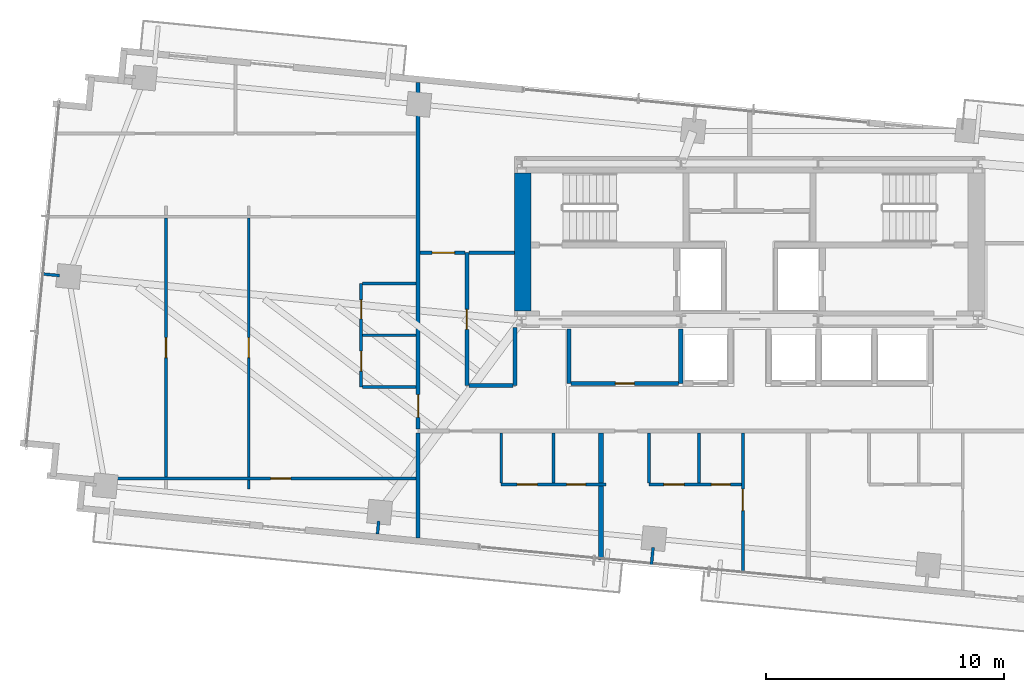
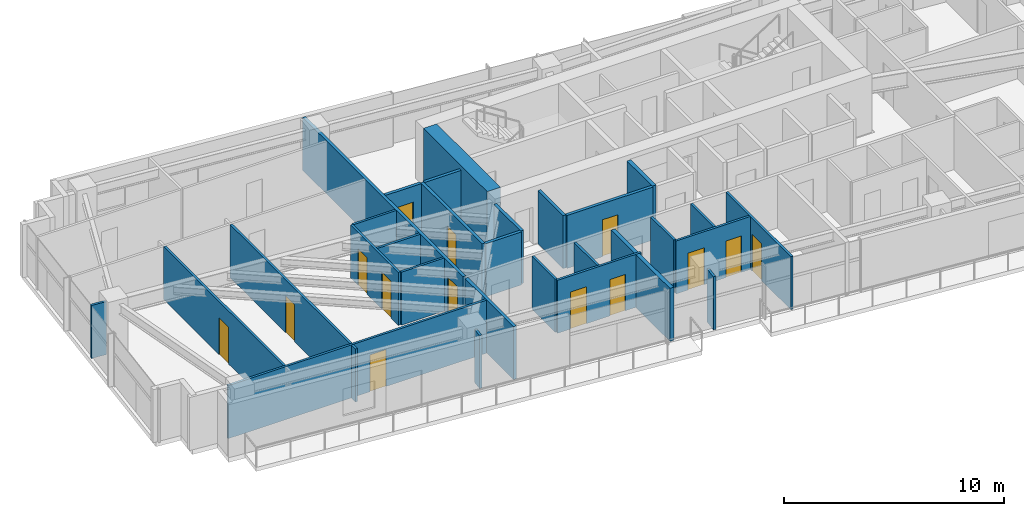
# One storey, part 14 of 19: 31 walls, 14 doors, 14 openings.
"""IFC4 building model written with IfcOpenShell, lengths in metres."""

from ifc_helpers import new_model, si_unit, direction, frame, frame_2d, origin, place, context, subcontext, project, spatial, rectangle, extrude, source, transform, mapped, material, layer, layer_set, type_object, type_shapes, element, fill, save


model = new_model("IFC4")

# Units and contexts
model_context = context("Model", 3, precision=1e-05, world=origin(), true_north=direction((0.0, 1.0)))
body_context = subcontext(model_context, "Body", "Model", "MODEL_VIEW")
ifc_project = project(units=[si_unit("LENGTHUNIT", "METRE"), si_unit("AREAUNIT", "SQUARE_METRE"), si_unit("VOLUMEUNIT", "CUBIC_METRE"), si_unit("PLANEANGLEUNIT", "RADIAN"), si_unit("MASSUNIT", "GRAM", prefix="KILO")], contexts=[model_context])

# Site, building, storey
site_placement = place(None, origin())
site = spatial("IfcSite", under=ifc_project, at=site_placement, CompositionType="ELEMENT")
building_placement = place(site_placement, origin())
building = spatial("IfcBuilding", under=site, at=building_placement, Name="Astriad Promenade Condominiums", CompositionType="ELEMENT")
storey_placement = place(building_placement, frame((0.0, 0.0, 140.60009765625)))
storey = spatial("IfcBuildingStorey", under=building, at=storey_placement, Name="L40", CompositionType="ELEMENT", Elevation=140.60009765625)

# Walls
ifc_material_1 = material(Name="Concrete C60/75", Category="concrete")
ifc_layer_1 = layer(ifc_material_1, 0.699951171875)
ifc_layer_set_1 = layer_set([ifc_layer_1], Name="Concrete C60/75")
wall_type_1 = type_object("IfcWallType", Name="CW-SHEAR-700", PredefinedType="SHEAR", material=ifc_layer_set_1)
wall_1_placement = place(storey_placement, frame((26.449951171875, 17.802001953125, 0.0), z_axis=(0.0, 0.0, 1.0), x_axis=(0.0, 1.0, 0.0)))
element("IfcWall", 1, at=wall_1_placement, inside=storey, type_object=wall_type_1, Name="CW-CORE-W-L40", PredefinedType="SHEAR", context=body_context, shape_type="SweptSolid", body=[
    extrude(rectangle(XDim=5.7958984375, YDim=0.699951171875, at=frame_2d((2.89794921875, 0.0))), origin(), (0.0, 0.0, 1.0), 3.199951171875),
])
ifc_material_2 = material(Name="Fire-Rated Gypsum Partition")
ifc_layer_2 = layer(ifc_material_2, 0.159912109375)
ifc_layer_set_2 = layer_set([ifc_layer_2], Name="Fire-Rated Gypsum Partition")
wall_type_2 = type_object("IfcWallType", Name="WALL-CORR-160", PredefinedType="PARTITIONING", material=ifc_layer_set_2)
wall_2_placement = place(storey_placement, frame((28.39990234375, 14.75, 0.0), z_axis=(0.0, 0.0, 1.0), x_axis=(0.0, 1.0, 0.0)))
element("IfcWall", 2, at=wall_2_placement, inside=storey, type_object=wall_type_2, Name="REC-L-W-L40", PredefinedType="PARTITIONING", context=body_context, shape_type="SweptSolid", body=[
    extrude(rectangle(XDim=2.300048828125, YDim=0.159912109375, at=frame_2d((1.14990234375, 0.0))), origin(), (0.0, 0.0, 1.0), 2.93994140625),
])

# Wall, opening, door
wall_3_placement = place(storey_placement, frame((28.48193359375, 14.75, 0.0), z_axis=(0.0, 0.0, 1.0), x_axis=(1.0, 0.0, 0.0)))
wall_3 = element("IfcWall", 3, at=wall_3_placement, inside=storey, type_object=wall_type_2, Name="REC-L-S-L40", PredefinedType="PARTITIONING", context=body_context, shape_type="SweptSolid", body=[
    extrude(rectangle(XDim=4.51611328125, YDim=0.159912109375, at=frame_2d((2.258056640625, 0.0))), origin(), (0.0, 0.0, 1.0), 2.93994140625),
])
opening_1_placement = place(wall_3_placement, frame((1.867919921875, 0.0, 0.0)))
opening_1 = element("IfcOpeningElement", 4, at=opening_1_placement, cuts=wall_3, Name="Opening FD60-SV-080", PredefinedType="OPENING", context=body_context, shape_type="SweptSolid", body=[
    extrude(rectangle(XDim=0.800048828125, YDim=2.050048828125, at=frame_2d((0.39990234375, 1.02490234375))), frame((0.0, 0.08984375, 0.0), z_axis=(0.0, -1.0, 0.0), x_axis=(1.0, 0.0, 0.0)), (0.0, 0.0, 1.0), 0.179931640625),
])
ifc_material_3 = material(Name="Fire-Rated Riser Closet Door")
door_type_1 = type_object("IfcDoorType", Name="FD60-SV-080", OperationType="NOTDEFINED", PredefinedType="DOOR", material=ifc_material_3)
shared_shape_1 = source(origin(), body_context, "Body", "SweptSolid", [
    extrude(rectangle(XDim=0.800048828125, YDim=2.050048828125, at=frame_2d((0.39990234375, 1.02490234375))), frame((0.0, 0.02490234375, 0.0), z_axis=(0.0, -1.0, 0.0), x_axis=(1.0, 0.0, 0.0)), (0.0, 0.0, 1.0), 0.050048828125),
])
type_shapes(door_type_1, [shared_shape_1])
door_1_placement = place(opening_1_placement, origin())
door_1 = element("IfcDoor", 5, at=door_1_placement, inside=storey, type_object=door_type_1, Name="D-RECL-L40", OperationType="SINGLE_SWING_RIGHT", OverallHeight=2.050048828125, OverallWidth=0.800048828125, PredefinedType="DOOR", context=body_context, shape_type="MappedRepresentation", body=[
    mapped(shared_shape_1, transform((0.0, 0.0, 0.0), scale=1.0)),
])
fill(opening_1, door_1)

# Wall
wall_4_placement = place(storey_placement, frame((22.050048828125, 8.253173828125, 0.0), z_axis=(0.0, 0.0, 1.0), x_axis=(0.0, 1.0, 0.0)))
element("IfcWall", 6, at=wall_4_placement, inside=storey, type_object=wall_type_2, Name="PT-COR-W-L40", PredefinedType="PARTITIONING", context=body_context, shape_type="SweptSolid", body=[
    extrude(rectangle(XDim=4.414794921875, YDim=0.159912109375, at=frame_2d((2.20751953125, 0.0))), origin(), (0.0, 0.0, 1.0), 2.93994140625),
])

# Wall, opening, door
wall_5_placement = place(storey_placement, frame((22.050048828125, 12.83203125, 0.0), z_axis=(0.0, 0.0, 1.0), x_axis=(0.0, 1.0, 0.0)))
wall_5 = element("IfcWall", 7, at=wall_5_placement, inside=storey, type_object=wall_type_2, Name="PT-COR-W-L40-S2", PredefinedType="PARTITIONING", context=body_context, shape_type="SweptSolid", body=[
    extrude(rectangle(XDim=14.585205078125, YDim=0.159912109375, at=frame_2d((7.29248046875, 0.0))), origin(), (0.0, 0.0, 1.0), 2.93994140625),
])
opening_2_placement = place(wall_5_placement, frame((0.492919921875, 0.0, 0.0)))
opening_2 = element("IfcOpeningElement", 8, at=opening_2_placement, cuts=wall_5, Name="Opening FD60-APT-095", PredefinedType="OPENING", context=body_context, shape_type="SweptSolid", body=[
    extrude(rectangle(XDim=0.949951171875, YDim=2.06005859375, at=frame_2d((0.47509765625, 1.030029296875))), frame((0.0, 0.08984375, 0.0), z_axis=(0.0, -1.0, 0.0), x_axis=(1.0, 0.0, 0.0)), (0.0, 0.0, 1.0), 0.179931640625),
])
ifc_material_4 = material(Name="Solid-Core Acoustic Timber Residence Entry Door", Category="wood")
door_type_2 = type_object("IfcDoorType", Name="FD60-APT-095", OperationType="NOTDEFINED", PredefinedType="DOOR", material=ifc_material_4)
shared_shape_2 = source(origin(), body_context, "Body", "SweptSolid", [
    extrude(rectangle(XDim=0.949951171875, YDim=2.06005859375, at=frame_2d((0.47509765625, 1.030029296875))), frame((0.0, 0.02490234375, 0.0), z_axis=(0.0, -1.0, 0.0), x_axis=(1.0, 0.0, 0.0)), (0.0, 0.0, 1.0), 0.050048828125),
])
type_shapes(door_type_2, [shared_shape_2])
door_2_placement = place(opening_2_placement, origin())
door_2 = element("IfcDoor", 9, at=door_2_placement, inside=storey, type_object=door_type_2, Name="D-ENT-L40-W1", OperationType="SINGLE_SWING_RIGHT", OverallHeight=2.06005859375, OverallWidth=0.949951171875, PredefinedType="DOOR", context=body_context, shape_type="MappedRepresentation", body=[
    mapped(shared_shape_2, transform((0.0, 0.0, 0.0), scale=1.0)),
])
fill(opening_2, door_2)

wall_6_placement = place(storey_placement, frame((24.10009765625, 14.659912109375, 0.0), z_axis=(0.0, 0.0, 1.0), x_axis=(0.0, 1.0, 0.0)))
wall_6 = element("IfcWall", 10, at=wall_6_placement, inside=storey, type_object=wall_type_2, Name="PT-HK-E-L40", PredefinedType="PARTITIONING", context=body_context, shape_type="SweptSolid", body=[
    extrude(rectangle(XDim=5.590087890625, YDim=0.159912109375, at=frame_2d((2.794921875, 0.0))), origin(), (0.0, 0.0, 1.0), 2.93994140625),
])
opening_3_placement = place(wall_6_placement, frame((2.360107421875, 0.0, 0.0)))
opening_3 = element("IfcOpeningElement", 11, at=opening_3_placement, cuts=wall_6, Name="Opening FD60-ULOW-085", PredefinedType="OPENING", context=body_context, shape_type="SweptSolid", body=[
    extrude(rectangle(XDim=0.85009765625, YDim=2.0, at=frame_2d((0.425048828125, 1.0))), frame((0.0, 0.08984375, 0.0), z_axis=(0.0, -1.0, 0.0), x_axis=(1.0, 0.0, 0.0)), (0.0, 0.0, 1.0), 0.179931640625),
])
ifc_material_5 = material(Name="Solid-Core Low-Headroom Fire Door")
door_type_3 = type_object("IfcDoorType", Name="FD60-ULOW-085", OperationType="NOTDEFINED", PredefinedType="DOOR", material=ifc_material_5)
shared_shape_3 = source(origin(), body_context, "Body", "SweptSolid", [
    extrude(rectangle(XDim=0.85009765625, YDim=2.0, at=frame_2d((0.425048828125, 1.0))), frame((0.0, 0.02490234375, 0.0), z_axis=(0.0, -1.0, 0.0), x_axis=(1.0, 0.0, 0.0)), (0.0, 0.0, 1.0), 0.050048828125),
])
type_shapes(door_type_3, [shared_shape_3])
door_3_placement = place(opening_3_placement, origin())
door_3 = element("IfcDoor", 12, at=door_3_placement, inside=storey, type_object=door_type_3, Name="D-HKA-L40", OperationType="SINGLE_SWING_RIGHT", OverallHeight=2.0, OverallWidth=0.85009765625, PredefinedType="DOOR", context=body_context, shape_type="MappedRepresentation", body=[
    mapped(shared_shape_3, transform((0.0, 0.0, 0.0), scale=1.0)),
])
fill(opening_3, door_3)

wall_7_placement = place(storey_placement, frame((22.132080078125, 20.25, 0.0), z_axis=(0.0, 0.0, 1.0), x_axis=(1.0, 0.0, 0.0)))
wall_7 = element("IfcWall", 13, at=wall_7_placement, inside=storey, type_object=wall_type_2, Name="PT-HK-N-L40", PredefinedType="PARTITIONING", context=body_context, shape_type="SweptSolid", body=[
    extrude(rectangle(XDim=1.885986328125, YDim=0.159912109375, at=frame_2d((0.94287109375, 0.0))), origin(), (0.0, 0.0, 1.0), 2.93994140625),
])
opening_4_placement = place(wall_7_placement, frame((0.508056640625, 0.0, 0.0)))
opening_4 = element("IfcOpeningElement", 14, at=opening_4_placement, cuts=wall_7, Name="Opening FD60-APT-095", PredefinedType="OPENING", context=body_context, shape_type="SweptSolid", body=[
    extrude(rectangle(XDim=0.949951171875, YDim=2.06005859375, at=frame_2d((0.47509765625, 1.030029296875))), frame((0.0, 0.08984375, 0.0), z_axis=(0.0, -1.0, 0.0), x_axis=(1.0, 0.0, 0.0)), (0.0, 0.0, 1.0), 0.179931640625),
])
door_4_placement = place(opening_4_placement, origin())
door_4 = element("IfcDoor", 15, at=door_4_placement, inside=storey, type_object=door_type_2, Name="D-HKB-L40", OperationType="SINGLE_SWING_LEFT", OverallHeight=2.06005859375, OverallWidth=0.949951171875, PredefinedType="DOOR", context=body_context, shape_type="MappedRepresentation", body=[
    mapped(shared_shape_2, transform((0.0, 0.0, 0.0), scale=1.0)),
])
fill(opening_4, door_4)

# Walls
wall_8_placement = place(storey_placement, frame((24.181884765625, 20.25, 0.0), z_axis=(0.0, 0.0, 1.0), x_axis=(1.0, 0.0, 0.0)))
element("IfcWall", 16, at=wall_8_placement, inside=storey, type_object=wall_type_2, Name="PT-HK-N-L40-S2", PredefinedType="PARTITIONING", context=body_context, shape_type="SweptSolid", body=[
    extrude(rectangle(XDim=1.916015625, YDim=0.159912109375, at=frame_2d((0.9580078125, 0.0))), origin(), (0.0, 0.0, 1.0), 2.93994140625),
])
wall_9_placement = place(storey_placement, frame((26.1201171875, 14.659912109375, 0.0), z_axis=(0.0, 0.0, 1.0), x_axis=(0.0, 1.0, 0.0)))
element("IfcWall", 17, at=wall_9_placement, inside=storey, type_object=wall_type_2, Name="PT-WSPUR-W-L40", PredefinedType="PARTITIONING", context=body_context, shape_type="SweptSolid", body=[
    extrude(rectangle(XDim=2.43798828125, YDim=0.159912109375, at=frame_2d((1.218994140625, 0.0))), origin(), (0.0, 0.0, 1.0), 2.93994140625),
])
wall_10_placement = place(storey_placement, frame((24.181884765625, 14.659912109375, 0.0), z_axis=(0.0, 0.0, 1.0), x_axis=(1.0, 0.0, 0.0)))
element("IfcWall", 18, at=wall_10_placement, inside=storey, type_object=wall_type_2, Name="PT-HK-S-L40", PredefinedType="PARTITIONING", context=body_context, shape_type="SweptSolid", body=[
    extrude(rectangle(XDim=1.856201171875, YDim=0.159912109375, at=frame_2d((0.92822265625, 0.0))), origin(), (0.0, 0.0, 1.0), 2.93994140625),
])
ifc_material_6 = material(Name="Acoustic Double-Stud Gypsum Partition")
ifc_layer_3 = layer(ifc_material_6, 0.199951171875)
ifc_layer_set_3 = layer_set([ifc_layer_3], Name="Acoustic Double-Stud Gypsum Partition")
wall_type_3 = type_object("IfcWallType", Name="WALL-DEMISING-200", PredefinedType="PARTITIONING", material=ifc_layer_set_3)
wall_11_placement = place(storey_placement, frame((29.7451171875, 7.3291015625, 0.0), z_axis=(0.0, 0.0, 1.0), x_axis=(0.0, 1.0, 0.0)))
element("IfcWall", 19, at=wall_11_placement, inside=storey, type_object=wall_type_3, Name="PT-DEM-S1-L40", PredefinedType="PARTITIONING", context=body_context, shape_type="SweptSolid", body=[
    extrude(rectangle(XDim=3.10888671875, YDim=0.199951171875, at=frame_2d((1.554443359375, 0.0))), origin(), (0.0, 0.0, 1.0), 2.93994140625),
])
wall_12_placement = place(storey_placement, frame((29.7451171875, 10.56201171875, 0.0), z_axis=(0.0, 0.0, 1.0), x_axis=(0.0, 1.0, 0.0)))
element("IfcWall", 20, at=wall_12_placement, inside=storey, type_object=wall_type_3, Name="PT-DEM-S1-L40-S2", PredefinedType="PARTITIONING", context=body_context, shape_type="SweptSolid", body=[
    extrude(rectangle(XDim=2.10595703125, YDim=0.199951171875, at=frame_2d((1.052978515625, 0.0))), origin(), (0.0, 0.0, 1.0), 2.93994140625),
])

# Wall, openings, doors
ifc_material_7 = material(Name="Acoustic Metal-Stud Gypsum Partition")
ifc_layer_4 = layer(ifc_material_7, 0.1201171875)
ifc_layer_set_4 = layer_set([ifc_layer_4], Name="Acoustic Metal-Stud Gypsum Partition")
wall_type_4 = type_object("IfcWallType", Name="WALL-PART-120", PredefinedType="PARTITIONING", material=ifc_layer_set_4)
wall_13_placement = place(storey_placement, frame((25.544921875, 10.5, 0.0), z_axis=(0.0, 0.0, 1.0), x_axis=(1.0, 0.0, 0.0)))
wall_13 = element("IfcWall", 21, at=wall_13_placement, inside=storey, type_object=wall_type_4, Name="PT-L40-S1-PS", PredefinedType="PARTITIONING", context=body_context, shape_type="SweptSolid", body=[
    extrude(rectangle(XDim=4.400146484375, YDim=0.1201171875, at=frame_2d((2.2001953125, 0.0))), origin(), (0.0, 0.0, 1.0), 2.93994140625),
])
opening_5_placement = place(wall_13_placement, frame((0.675048828125, 0.0, 0.0)))
opening_5 = element("IfcOpeningElement", 22, at=opening_5_placement, cuts=wall_13, Name="Opening D-INT-085", PredefinedType="OPENING", context=body_context, shape_type="SweptSolid", body=[
    extrude(rectangle(XDim=0.85009765625, YDim=2.050048828125, at=frame_2d((0.425048828125, 1.02490234375))), frame((0.0, 0.070068359375, 0.0), z_axis=(0.0, -1.0, 0.0), x_axis=(1.0, 0.0, 0.0)), (0.0, 0.0, 1.0), 0.14013671875),
])
opening_6_placement = place(wall_13_placement, frame((2.75, 0.0, 0.0)))
opening_6 = element("IfcOpeningElement", 23, at=opening_6_placement, cuts=wall_13, Name="Opening D-WET-080", PredefinedType="OPENING", context=body_context, shape_type="SweptSolid", body=[
    extrude(rectangle(XDim=0.800048828125, YDim=2.02001953125, at=frame_2d((0.39990234375, 1.010009765625))), frame((0.0, 0.070068359375, 0.0), z_axis=(0.0, -1.0, 0.0), x_axis=(1.0, 0.0, 0.0)), (0.0, 0.0, 1.0), 0.14013671875),
])
ifc_material_8 = material(Name="Moisture-Resistant Timber Bathroom Door", Category="wood")
door_type_4 = type_object("IfcDoorType", Name="D-WET-080", OperationType="NOTDEFINED", PredefinedType="DOOR", material=ifc_material_8)
shared_shape_4 = source(origin(), body_context, "Body", "SweptSolid", [
    extrude(rectangle(XDim=0.800048828125, YDim=2.02001953125, at=frame_2d((0.39990234375, 1.010009765625))), frame((0.0, 0.02490234375, 0.0), z_axis=(0.0, -1.0, 0.0), x_axis=(1.0, 0.0, 0.0)), (0.0, 0.0, 1.0), 0.050048828125),
])
type_shapes(door_type_4, [shared_shape_4])
door_5_placement = place(opening_6_placement, origin())
door_5 = element("IfcDoor", 24, at=door_5_placement, inside=storey, type_object=door_type_4, Name="D-BTH-L40-S1", OperationType="SINGLE_SWING_LEFT", OverallHeight=2.02001953125, OverallWidth=0.800048828125, PredefinedType="DOOR", context=body_context, shape_type="MappedRepresentation", body=[
    mapped(shared_shape_4, transform((0.0, 0.0, 0.0), scale=1.0)),
])
fill(opening_6, door_5)
ifc_material_9 = material(Name="Painted Solid-Core Timber Room Door", Category="wood")
door_type_5 = type_object("IfcDoorType", Name="D-INT-085", OperationType="NOTDEFINED", PredefinedType="DOOR", material=ifc_material_9)
shared_shape_5 = source(origin(), body_context, "Body", "SweptSolid", [
    extrude(rectangle(XDim=0.85009765625, YDim=2.050048828125, at=frame_2d((0.425048828125, 1.02490234375))), frame((0.0, 0.02490234375, 0.0), z_axis=(0.0, -1.0, 0.0), x_axis=(1.0, 0.0, 0.0)), (0.0, 0.0, 1.0), 0.050048828125),
])
type_shapes(door_type_5, [shared_shape_5])
door_6_placement = place(opening_5_placement, origin())
door_6 = element("IfcDoor", 25, at=door_6_placement, inside=storey, type_object=door_type_5, Name="D-KIT-L40-S1", OperationType="SINGLE_SWING_RIGHT", OverallHeight=2.050048828125, OverallWidth=0.85009765625, PredefinedType="DOOR", context=body_context, shape_type="MappedRepresentation", body=[
    mapped(shared_shape_5, transform((0.0, 0.0, 0.0), scale=1.0)),
])
fill(opening_5, door_6)

# Walls
for number, where, z_axis, x_axis, name in (
    (26, (25.544921875, 10.56201171875, 0.0), (0.0, 0.0, 1.0), (0.0, 1.0, 0.0), "PT-L40-S1-PK"),
    (27, (27.7451171875, 10.56201171875, 0.0), (0.0, 0.0, 1.0), (0.0, 1.0, 0.0), "PT-L40-S1-PB"),
):
    element("IfcWall", number, at=place(storey_placement, frame(where, z_axis=z_axis, x_axis=x_axis)), inside=storey, type_object=wall_type_4, Name=name, PredefinedType="PARTITIONING", context=body_context, shape_type="SweptSolid", body=[
        extrude(rectangle(XDim=2.10595703125, YDim=0.1201171875, at=frame_2d((1.052978515625, 0.0))), origin(), (0.0, 0.0, 1.0), 2.93994140625),
    ])

# Wall, opening, door
wall_14_placement = place(storey_placement, frame((35.716064453125, 6.75439453125, 0.0), z_axis=(0.0, 0.0, 1.0), x_axis=(0.0, 1.0, 0.0)))
wall_14 = element("IfcWall", 28, at=wall_14_placement, inside=storey, type_object=wall_type_4, Name="PT-L40-S2-BD1", PredefinedType="PARTITIONING", context=body_context, shape_type="SweptSolid", body=[
    extrude(rectangle(XDim=5.91357421875, YDim=0.1201171875, at=frame_2d((2.956787109375, 0.0))), origin(), (0.0, 0.0, 1.0), 2.93994140625),
])
opening_7_placement = place(wall_14_placement, frame((2.645751953125, 0.0, 0.0)))
opening_7 = element("IfcOpeningElement", 29, at=opening_7_placement, cuts=wall_14, Name="Opening D-INT-090", PredefinedType="OPENING", context=body_context, shape_type="SweptSolid", body=[
    extrude(rectangle(XDim=0.89990234375, YDim=2.050048828125, at=frame_2d((0.449951171875, 1.02490234375))), frame((0.0, 0.070068359375, 0.0), z_axis=(0.0, -1.0, 0.0), x_axis=(1.0, 0.0, 0.0)), (0.0, 0.0, 1.0), 0.14013671875),
])
ifc_material_10 = material(Name="Painted Solid-Core Timber Bedroom Door", Category="wood")
door_type_6 = type_object("IfcDoorType", Name="D-INT-090", OperationType="NOTDEFINED", PredefinedType="DOOR", material=ifc_material_10)
shared_shape_6 = source(origin(), body_context, "Body", "SweptSolid", [
    extrude(rectangle(XDim=0.89990234375, YDim=2.050048828125, at=frame_2d((0.449951171875, 1.02490234375))), frame((0.0, 0.02490234375, 0.0), z_axis=(0.0, -1.0, 0.0), x_axis=(1.0, 0.0, 0.0)), (0.0, 0.0, 1.0), 0.050048828125),
])
type_shapes(door_type_6, [shared_shape_6])
door_7_placement = place(opening_7_placement, origin())
door_7 = element("IfcDoor", 30, at=door_7_placement, inside=storey, type_object=door_type_6, Name="D-BD1-L40-S2", OperationType="SINGLE_SWING_LEFT", OverallHeight=2.050048828125, OverallWidth=0.89990234375, PredefinedType="DOOR", context=body_context, shape_type="MappedRepresentation", body=[
    mapped(shared_shape_6, transform((0.0, 0.0, 0.0), scale=1.0)),
])
fill(opening_7, door_7)

# Wall, openings, doors
wall_15_placement = place(storey_placement, frame((31.76611328125, 10.5, 0.0), z_axis=(0.0, 0.0, 1.0), x_axis=(1.0, 0.0, 0.0)))
wall_15 = element("IfcWall", 31, at=wall_15_placement, inside=storey, type_object=wall_type_4, Name="PT-L40-S2-PS", PredefinedType="PARTITIONING", context=body_context, shape_type="SweptSolid", body=[
    extrude(rectangle(XDim=3.887939453125, YDim=0.1201171875, at=frame_2d((1.94384765625, 0.0))), origin(), (0.0, 0.0, 1.0), 2.93994140625),
])
opening_8_placement = place(wall_15_placement, frame((0.625, 0.0, 0.0)))
opening_8 = element("IfcOpeningElement", 32, at=opening_8_placement, cuts=wall_15, Name="Opening D-INT-085", PredefinedType="OPENING", context=body_context, shape_type="SweptSolid", body=[
    extrude(rectangle(XDim=0.85009765625, YDim=2.050048828125, at=frame_2d((0.425048828125, 1.02490234375))), frame((0.0, 0.070068359375, 0.0), z_axis=(0.0, -1.0, 0.0), x_axis=(1.0, 0.0, 0.0)), (0.0, 0.0, 1.0), 0.14013671875),
])
opening_9_placement = place(wall_15_placement, frame((2.625, 0.0, 0.0)))
opening_9 = element("IfcOpeningElement", 33, at=opening_9_placement, cuts=wall_15, Name="Opening D-WET-080", PredefinedType="OPENING", context=body_context, shape_type="SweptSolid", body=[
    extrude(rectangle(XDim=0.800048828125, YDim=2.02001953125, at=frame_2d((0.39990234375, 1.010009765625))), frame((0.0, 0.070068359375, 0.0), z_axis=(0.0, -1.0, 0.0), x_axis=(1.0, 0.0, 0.0)), (0.0, 0.0, 1.0), 0.14013671875),
])
door_8_placement = place(opening_9_placement, origin())
door_8 = element("IfcDoor", 34, at=door_8_placement, inside=storey, type_object=door_type_4, Name="D-BTH-L40-S2", OperationType="SINGLE_SWING_LEFT", OverallHeight=2.02001953125, OverallWidth=0.800048828125, PredefinedType="DOOR", context=body_context, shape_type="MappedRepresentation", body=[
    mapped(shared_shape_4, transform((0.0, 0.0, 0.0), scale=1.0)),
])
fill(opening_9, door_8)
door_9_placement = place(opening_8_placement, origin())
door_9 = element("IfcDoor", 35, at=door_9_placement, inside=storey, type_object=door_type_5, Name="D-KIT-L40-S2", OperationType="SINGLE_SWING_RIGHT", OverallHeight=2.050048828125, OverallWidth=0.85009765625, PredefinedType="DOOR", context=body_context, shape_type="MappedRepresentation", body=[
    mapped(shared_shape_5, transform((0.0, 0.0, 0.0), scale=1.0)),
])
fill(opening_8, door_9)

# Walls
for number, where, z_axis, x_axis, name in (
    (36, (33.865966796875, 10.56201171875, 0.0), (0.0, 0.0, 1.0), (0.0, 1.0, 0.0), "PT-L40-S2-PBK"),
    (37, (31.76611328125, 10.56201171875, 0.0), (0.0, 0.0, 1.0), (0.0, 1.0, 0.0), "PT-L40-S2-PKW"),
):
    element("IfcWall", number, at=place(storey_placement, frame(where, z_axis=z_axis, x_axis=x_axis)), inside=storey, type_object=wall_type_4, Name=name, PredefinedType="PARTITIONING", context=body_context, shape_type="SweptSolid", body=[
        extrude(rectangle(XDim=2.10595703125, YDim=0.1201171875, at=frame_2d((1.052978515625, 0.0))), origin(), (0.0, 0.0, 1.0), 2.93994140625),
    ])

# Wall, openings, doors
wall_16_placement = place(storey_placement, frame((19.64990234375, 14.60009765625, 0.0), z_axis=(0.0, 0.0, 1.0), x_axis=(0.0, 1.0, 0.0)))
wall_16 = element("IfcWall", 38, at=wall_16_placement, inside=storey, type_object=wall_type_4, Name="PT-L40-W1-PV", PredefinedType="PARTITIONING", context=body_context, shape_type="SweptSolid", body=[
    extrude(rectangle(XDim=4.349853515625, YDim=0.1201171875, at=frame_2d((2.1748046875, 0.0))), origin(), (0.0, 0.0, 1.0), 2.93994140625),
])
opening_10_placement = place(wall_16_placement, frame((0.6630859375, 0.0, 0.0)))
opening_10 = element("IfcOpeningElement", 39, at=opening_10_placement, cuts=wall_16, Name="Opening D-INT-085", PredefinedType="OPENING", context=body_context, shape_type="SweptSolid", body=[
    extrude(rectangle(XDim=0.85009765625, YDim=2.050048828125, at=frame_2d((0.425048828125, 1.02490234375))), frame((0.0, 0.070068359375, 0.0), z_axis=(0.0, -1.0, 0.0), x_axis=(1.0, 0.0, 0.0)), (0.0, 0.0, 1.0), 0.14013671875),
])
opening_11_placement = place(wall_16_placement, frame((2.862060546875, 0.0, 0.0)))
opening_11 = element("IfcOpeningElement", 40, at=opening_11_placement, cuts=wall_16, Name="Opening D-WET-080", PredefinedType="OPENING", context=body_context, shape_type="SweptSolid", body=[
    extrude(rectangle(XDim=0.800048828125, YDim=2.02001953125, at=frame_2d((0.39990234375, 1.010009765625))), frame((0.0, 0.070068359375, 0.0), z_axis=(0.0, -1.0, 0.0), x_axis=(1.0, 0.0, 0.0)), (0.0, 0.0, 1.0), 0.14013671875),
])
door_10_placement = place(opening_11_placement, origin())
door_10 = element("IfcDoor", 41, at=door_10_placement, inside=storey, type_object=door_type_4, Name="D-BTH-L40-W1", OperationType="SINGLE_SWING_RIGHT", OverallHeight=2.02001953125, OverallWidth=0.800048828125, PredefinedType="DOOR", context=body_context, shape_type="MappedRepresentation", body=[
    mapped(shared_shape_4, transform((0.0, 0.0, 0.0), scale=1.0)),
])
fill(opening_11, door_10)
door_11_placement = place(opening_10_placement, origin())
door_11 = element("IfcDoor", 42, at=door_11_placement, inside=storey, type_object=door_type_5, Name="D-KIT-L40-W1", OperationType="SINGLE_SWING_LEFT", OverallHeight=2.050048828125, OverallWidth=0.85009765625, PredefinedType="DOOR", context=body_context, shape_type="MappedRepresentation", body=[
    mapped(shared_shape_5, transform((0.0, 0.0, 0.0), scale=1.0)),
])
fill(opening_10, door_11)

# Walls
for number, where, z_axis, x_axis, name in (
    (43, (19.7119140625, 16.77490234375, 0.0), (0.0, 0.0, 1.0), (1.0, 0.0, 0.0), "PT-L40-W1-PM"),
    (44, (19.7119140625, 14.60009765625, 0.0), (0.0, 0.0, 1.0), (1.0, 0.0, 0.0), "PT-L40-W1-PS"),
    (45, (19.7119140625, 18.949951171875, 0.0), (0.0, 0.0, 1.0), (1.0, 0.0, 0.0), "PT-L40-W1-PN"),
):
    element("IfcWall", number, at=place(storey_placement, frame(where, z_axis=z_axis, x_axis=x_axis)), inside=storey, type_object=wall_type_4, Name=name, PredefinedType="PARTITIONING", context=body_context, shape_type="SweptSolid", body=[
        extrude(rectangle(XDim=2.256103515625, YDim=0.1201171875, at=frame_2d((1.1279296875, 0.0))), origin(), (0.0, 0.0, 1.0), 2.93994140625),
    ])

# Wall, opening, door
wall_17_placement = place(storey_placement, frame((8.40576171875, 10.7490234375, 0.0), z_axis=(0.0, 0.0, 1.0), x_axis=(1.0, 0.0, 0.0)))
wall_17 = element("IfcWall", 46, at=wall_17_placement, inside=storey, type_object=wall_type_4, Name="PT-L40-W1-WDS2", PredefinedType="PARTITIONING", context=body_context, shape_type="SweptSolid", body=[
    extrude(rectangle(XDim=13.562255859375, YDim=0.1201171875, at=frame_2d((6.78125, 0.0))), origin(), (0.0, 0.0, 1.0), 2.93994140625),
])
opening_12_placement = place(wall_17_placement, frame((7.440185546875, 0.0, 0.0)))
opening_12 = element("IfcOpeningElement", 47, at=opening_12_placement, cuts=wall_17, Name="Opening D-INT-085", PredefinedType="OPENING", context=body_context, shape_type="SweptSolid", body=[
    extrude(rectangle(XDim=0.85009765625, YDim=2.050048828125, at=frame_2d((0.425048828125, 1.02490234375))), frame((0.0, 0.070068359375, 0.0), z_axis=(0.0, -1.0, 0.0), x_axis=(1.0, 0.0, 0.0)), (0.0, 0.0, 1.0), 0.14013671875),
])
door_12_placement = place(opening_12_placement, origin())
door_12 = element("IfcDoor", 48, at=door_12_placement, inside=storey, type_object=door_type_5, Name="D-WDS2-L40-W1", OperationType="SINGLE_SWING_RIGHT", OverallHeight=2.050048828125, OverallWidth=0.85009765625, PredefinedType="DOOR", context=body_context, shape_type="MappedRepresentation", body=[
    mapped(shared_shape_5, transform((0.0, 0.0, 0.0), scale=1.0)),
])
fill(opening_12, door_12)

wall_18_placement = place(storey_placement, frame((11.43701171875, 10.81103515625, 0.0), z_axis=(0.0, 0.0, 1.0), x_axis=(0.0, 1.0, 0.0)))
wall_18 = element("IfcWall", 49, at=wall_18_placement, inside=storey, type_object=wall_type_4, Name="PT-L40-W1-WDV3-S2", PredefinedType="PARTITIONING", context=body_context, shape_type="SweptSolid", body=[
    extrude(rectangle(XDim=10.89306640625, YDim=0.1201171875, at=frame_2d((5.446533203125, 0.0))), origin(), (0.0, 0.0, 1.0), 2.93994140625),
])
opening_13_placement = place(wall_18_placement, frame((5.02099609375, 0.0, 0.0)))
opening_13 = element("IfcOpeningElement", 50, at=opening_13_placement, cuts=wall_18, Name="Opening D-INT-085", PredefinedType="OPENING", context=body_context, shape_type="SweptSolid", body=[
    extrude(rectangle(XDim=0.85009765625, YDim=2.050048828125, at=frame_2d((0.425048828125, 1.02490234375))), frame((0.0, 0.070068359375, 0.0), z_axis=(0.0, -1.0, 0.0), x_axis=(1.0, 0.0, 0.0)), (0.0, 0.0, 1.0), 0.14013671875),
])
door_13_placement = place(opening_13_placement, origin())
door_13 = element("IfcDoor", 51, at=door_13_placement, inside=storey, type_object=door_type_5, Name="D-WDV3-L40-W1", OperationType="SINGLE_SWING_LEFT", OverallHeight=2.050048828125, OverallWidth=0.85009765625, PredefinedType="DOOR", context=body_context, shape_type="MappedRepresentation", body=[
    mapped(shared_shape_5, transform((0.0, 0.0, 0.0), scale=1.0)),
])
fill(opening_13, door_13)

# Wall
wall_19_placement = place(storey_placement, frame((14.9208984375, 10.30908203125, 0.0), z_axis=(0.0, 0.0, 1.0), x_axis=(0.0, 1.0, 0.0)))
element("IfcWall", 52, at=wall_19_placement, inside=storey, type_object=wall_type_4, Name="PT-L40-W1-WDV4", PredefinedType="PARTITIONING", context=body_context, shape_type="SweptSolid", body=[
    extrude(rectangle(XDim=0.3779296875, YDim=0.1201171875, at=frame_2d((0.18896484375, 0.0))), origin(), (0.0, 0.0, 1.0), 2.93994140625),
])

# Wall, opening, door
wall_20_placement = place(storey_placement, frame((14.9208984375, 10.81103515625, 0.0), z_axis=(0.0, 0.0, 1.0), x_axis=(0.0, 1.0, 0.0)))
wall_20 = element("IfcWall", 53, at=wall_20_placement, inside=storey, type_object=wall_type_4, Name="PT-L40-W1-WDV4-S2", PredefinedType="PARTITIONING", context=body_context, shape_type="SweptSolid", body=[
    extrude(rectangle(XDim=10.89306640625, YDim=0.1201171875, at=frame_2d((5.446533203125, 0.0))), origin(), (0.0, 0.0, 1.0), 2.93994140625),
])
opening_14_placement = place(wall_20_placement, frame((5.02099609375, 0.0, 0.0)))
opening_14 = element("IfcOpeningElement", 54, at=opening_14_placement, cuts=wall_20, Name="Opening D-INT-085", PredefinedType="OPENING", context=body_context, shape_type="SweptSolid", body=[
    extrude(rectangle(XDim=0.85009765625, YDim=2.050048828125, at=frame_2d((0.425048828125, 1.02490234375))), frame((0.0, 0.070068359375, 0.0), z_axis=(0.0, -1.0, 0.0), x_axis=(1.0, 0.0, 0.0)), (0.0, 0.0, 1.0), 0.14013671875),
])
door_14_placement = place(opening_14_placement, origin())
door_14 = element("IfcDoor", 55, at=door_14_placement, inside=storey, type_object=door_type_5, Name="D-WDV4-L40-W1", OperationType="SINGLE_SWING_RIGHT", OverallHeight=2.050048828125, OverallWidth=0.85009765625, PredefinedType="DOOR", context=body_context, shape_type="MappedRepresentation", body=[
    mapped(shared_shape_5, transform((0.0, 0.0, 0.0), scale=1.0)),
])
fill(opening_14, door_14)

# Walls
wall_21_placement = place(storey_placement, frame((20.390869140625, 8.953125, 0.0), z_axis=(0.0, 0.0, 1.0), x_axis=(-0.096222656154, -0.995359834654, 0.0)))
element("IfcWall", 56, at=wall_21_placement, inside=storey, type_object=wall_type_4, Name="PT-PIL-L40-PC02-9", PredefinedType="PARTITIONING", context=body_context, shape_type="SweptSolid", body=[
    extrude(rectangle(XDim=0.537841796875, YDim=0.1201171875, at=frame_2d((0.26904296875, 0.0))), origin(), (0.0, 0.0, 1.0), 2.93994140625),
])
wall_22_placement = place(storey_placement, frame((31.9375, 7.84130859375, 0.0), z_axis=(0.0, 0.0, 1.0), x_axis=(-0.095977354523, -0.995383517755, 0.0)))
element("IfcWall", 57, at=wall_22_placement, inside=storey, type_object=wall_type_4, Name="PT-PIL-L40-PC03-10", PredefinedType="PARTITIONING", context=body_context, shape_type="SweptSolid", body=[
    extrude(rectangle(XDim=0.719970703125, YDim=0.1201171875, at=frame_2d((0.35986328125, 0.0))), origin(), (0.0, 0.0, 1.0), 2.93994140625),
])
wall_23_placement = place(storey_placement, frame((6.95947265625, 19.2880859375, 0.0), z_axis=(0.0, 0.0, 1.0), x_axis=(-0.995377786728, 0.096036772582, 0.0)))
element("IfcWall", 58, at=wall_23_placement, inside=storey, type_object=wall_type_4, Name="PT-PIL-L40-PC11-18", PredefinedType="PARTITIONING", context=body_context, shape_type="SweptSolid", body=[
    extrude(rectangle(XDim=0.760009765625, YDim=0.1201171875, at=frame_2d((0.3798828125, 0.0))), origin(), (0.0, 0.0, 1.0), 2.93994140625),
])
ifc_material_11 = material(Name="Gypsum Shaftliner Assembly")
ifc_layer_5 = layer(ifc_material_11, 0.199951171875)
ifc_layer_set_5 = layer_set([ifc_layer_5], Name="Gypsum Shaftliner Assembly")
wall_type_5 = type_object("IfcWallType", Name="WALL-SHAFT-200", PredefinedType="PARTITIONING", material=ifc_layer_set_5)
wall_24_placement = place(storey_placement, frame((33.10009765625, 14.75, 0.0), z_axis=(0.0, 0.0, 1.0), x_axis=(0.0, 1.0, 0.0)))
element("IfcWall", 59, at=wall_24_placement, inside=storey, type_object=wall_type_5, Name="REC-L-E-L40", PredefinedType="PARTITIONING", context=body_context, shape_type="SweptSolid", body=[
    extrude(rectangle(XDim=2.300048828125, YDim=0.199951171875, at=frame_2d((1.14990234375, 0.0))), origin(), (0.0, 0.0, 1.0), 2.93994140625),
])

save(model, "model.ifc")
